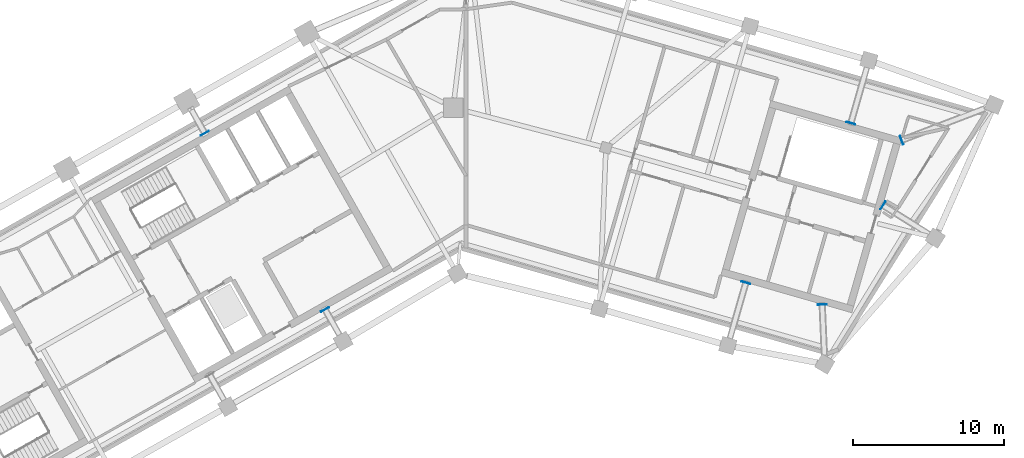
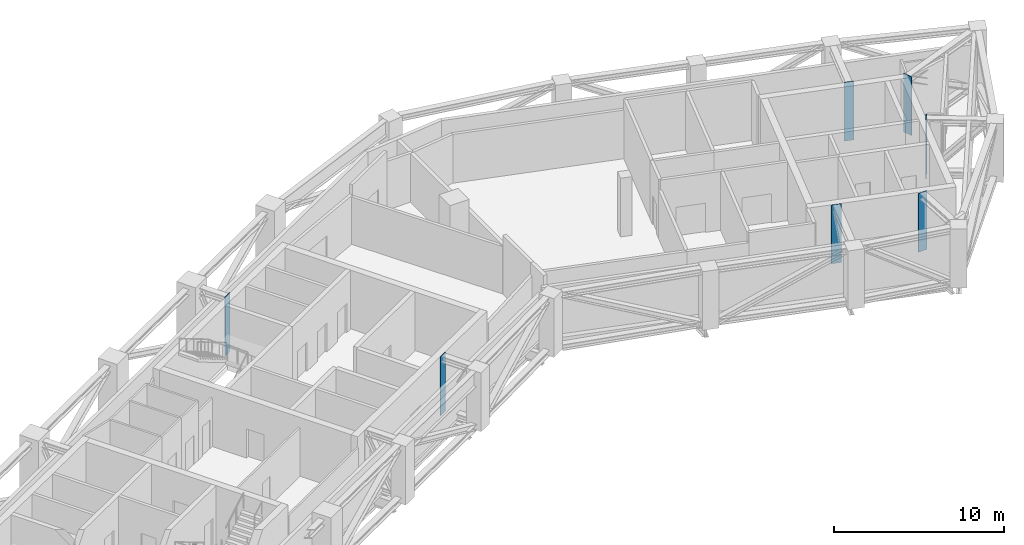
# One storey, part 7 of 13: 7 plates.
"""IFC4 building model written with IfcOpenShell, lengths in metres."""

from ifc_helpers import new_model, si_unit, direction, frame, origin, origin_2d, place, context, subcontext, project, spatial, rectangle, extrude, material, layer, layer_set, type_object, element, save


model = new_model("IFC4")

# Units and contexts
model_context = context("Model", 3, precision=1e-05, world=origin(), true_north=direction((0.0, 1.0)))
body_context = subcontext(model_context, "Body", "Model", "MODEL_VIEW")
ifc_project = project(units=[si_unit("LENGTHUNIT", "METRE"), si_unit("AREAUNIT", "SQUARE_METRE"), si_unit("VOLUMEUNIT", "CUBIC_METRE"), si_unit("PLANEANGLEUNIT", "RADIAN"), si_unit("MASSUNIT", "GRAM", prefix="KILO")], contexts=[model_context])

# Site, building, storey
site_placement = place(None, origin())
site = spatial("IfcSite", under=ifc_project, at=site_placement, CompositionType="ELEMENT")
building_placement = place(site_placement, origin())
building = spatial("IfcBuilding", under=site, at=building_placement, Name="Binnacle Exchange Tower", CompositionType="ELEMENT")
storey_placement = place(building_placement, frame((0.0, 0.0, 258.199951171875)))
storey = spatial("IfcBuildingStorey", under=building, at=storey_placement, Name="L57", CompositionType="ELEMENT", Elevation=258.199951171875)

# Plates
ifc_material = material(Name="Steel S355 (SM355)", Category="steel")
ifc_layer = layer(ifc_material, 0.0400390625)
ifc_layer_set = layer_set([ifc_layer], Name="Cast-in plate 40")
plate_type = type_object("IfcPlateType", Name="Cast-in plate 40", PredefinedType="SHEET", material=ifc_layer_set)
for number, where, z_axis, x_axis, name in (
    (1, (-17.25244140625, 58.3046875, 0.0), (0.0, 0.0, 1.0), (0.492423560103, -0.87035569594, 0.0), "Cast-in plate CP-OT57 40"),
    (2, (-9.3056640625, 46.66943359375, 0.0), (0.0, 0.0, 1.0), (-0.492423560103, 0.87035569594, 0.0), "Cast-in plate CP-OT57 40"),
    (3, (18.4775390625, 48.439208984375, 0.0), (0.0, 0.0, 1.0), (0.275637355817, 0.961261695938, 0.0), "Cast-in plate CP-OT57 40"),
    (4, (23.518310546875, 46.99462890625, 0.0), (0.0, 0.0, 1.0), (-0.043619387365, 0.999048221582, 0.0), "Cast-in plate CP-OT57 40"),
    (5, (25.413330078125, 58.9755859375, 0.0), (0.0, 0.0, 1.0), (-0.275637355817, -0.961261695938, 0.0), "Cast-in plate CP-OT57 40"),
    (6, (27.533203125, 53.5458984375, 0.0), (0.0, 0.0, 1.0), (-0.848048096156, 0.529919264233, 0.0), "Cast-in plate CP-OT57 40"),
    (7, (28.761962890625, 57.84228515625, 0.0), (0.0, 0.0, 1.0), (-0.933580426497, -0.358367949545, 0.0), "Cast-in plate CP-OT57 40"),
):
    element("IfcPlate", number, at=place(storey_placement, frame(where, z_axis=z_axis, x_axis=x_axis)), inside=storey, type_object=plate_type, Name=name, PredefinedType="SHEET", context=body_context, shape_type="SweptSolid", body=[
        extrude(rectangle(XDim=0.0400390625, YDim=0.60009765625, at=origin_2d()), origin(), (0.0, 0.0, 1.0), 4.219970703125),
    ])

save(model, "model.ifc")
